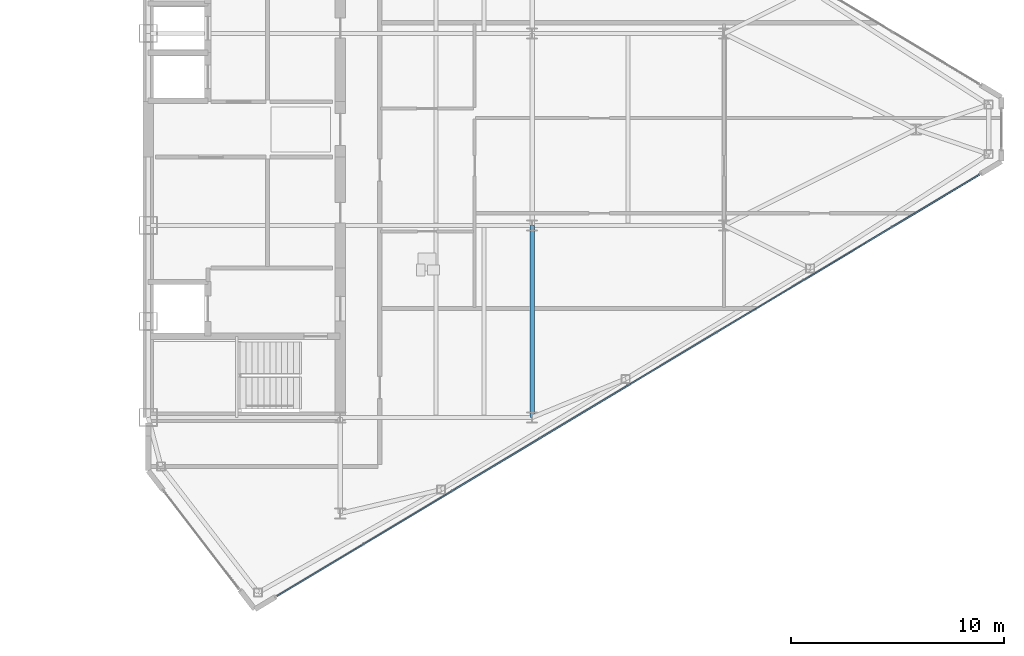
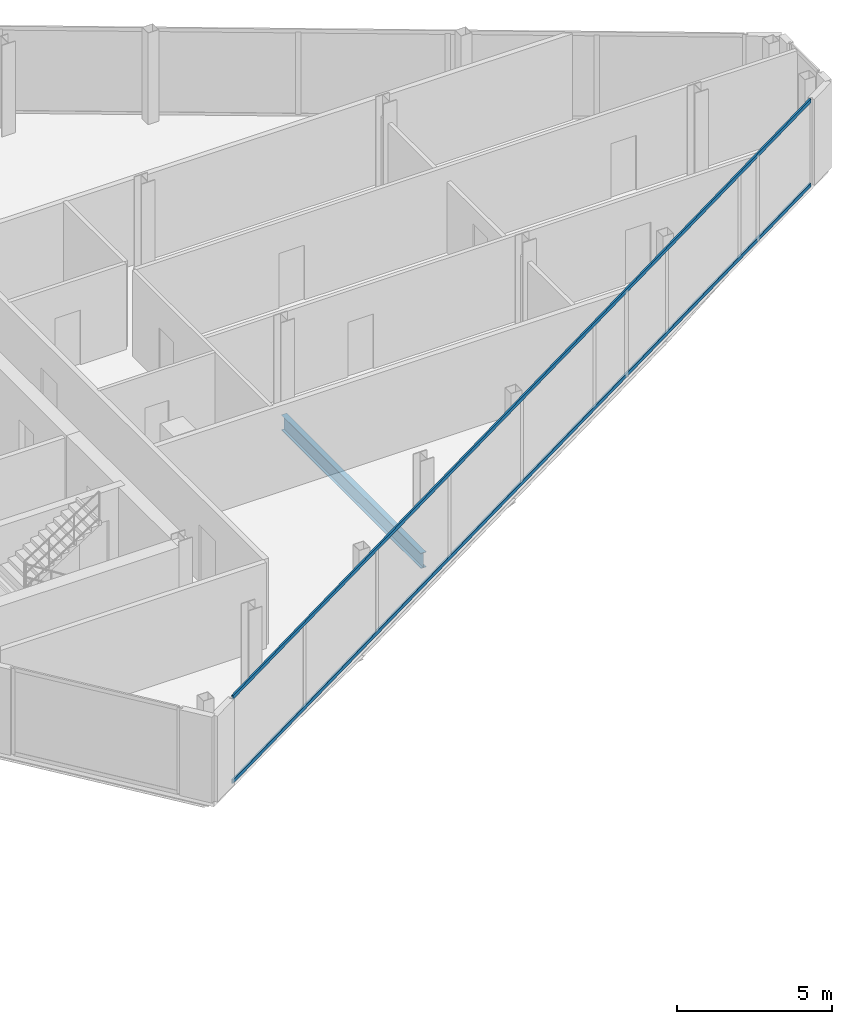
# One storey, part 12 of 25: 2 members, 1 beam, 1 element without a shape of its own.
"""IFC4 building model written with IfcOpenShell, lengths in metres."""

from ifc_helpers import new_model, si_unit, direction, frame, origin, origin_2d, place, context, subcontext, project, spatial, rectangle, i_section, extrude, source, transform, mapped, material, layer, layer_set, material_profile, profile_set, type_object, type_shapes, element, aggregate, save


model = new_model("IFC4")

# Units and contexts
model_context = context("Model", 3, precision=1e-05, world=origin(), true_north=direction((0.0, 1.0)))
body_context = subcontext(model_context, "Body", "Model", "MODEL_VIEW")
ifc_project = project(units=[si_unit("LENGTHUNIT", "METRE"), si_unit("AREAUNIT", "SQUARE_METRE"), si_unit("VOLUMEUNIT", "CUBIC_METRE"), si_unit("PLANEANGLEUNIT", "RADIAN"), si_unit("MASSUNIT", "GRAM", prefix="KILO")], contexts=[model_context])

# Site, building, storey
site_placement = place(None, origin())
site = spatial("IfcSite", under=ifc_project, at=site_placement, CompositionType="ELEMENT")
building_placement = place(site_placement, origin())
building = spatial("IfcBuilding", under=site, at=building_placement, Name="Seokmaru Belvedere", CompositionType="ELEMENT")
storey_placement = place(building_placement, frame((0.0, 0.0, 213.89990234375)))
storey = spatial("IfcBuildingStorey", under=building, at=storey_placement, Name="L57", CompositionType="ELEMENT", Elevation=213.89990234375)

# Beam
ifc_material_1 = material(Name="Steel SM355 (355 MPa)", Category="steel")
ifc_material_profile_1 = material_profile(ifc_material_1, i_section(OverallWidth=0.199951171875, OverallDepth=0.60009765625, WebThickness=0.010986328125, FlangeThickness=0.01708984375, at=origin_2d()), Name="H-600x200x11x17")
ifc_profile_set_1 = profile_set([ifc_material_profile_1], Name="Steel SM355 (355 MPa)")
beam_type = type_object("IfcBeamType", Name="Primary Floor Girder H-600", PredefinedType="BEAM", material=ifc_profile_set_1)
shared_shape_1 = source(origin(), body_context, "Body", "SweptSolid", [
    extrude(i_section(OverallWidth=0.199951171875, OverallDepth=0.60009765625, WebThickness=0.010986328125, FlangeThickness=0.01708984375, at=origin_2d()), origin(), (0.0, 0.0, 1.0), 9.0),
])
type_shapes(beam_type, [shared_shape_1])
beam_placement = place(storey_placement, frame((45.5, -13.5, -0.52001953125), z_axis=(0.0, 1.0, 0.0), x_axis=(-1.0, 0.0, 0.0)))
element("IfcBeam", 1, at=beam_placement, inside=storey, type_object=beam_type, Name="L57 E Interior Grid Girder 1", PredefinedType="BEAM", context=body_context, shape_type="MappedRepresentation", body=[
    mapped(shared_shape_1, transform((0.0, 0.0, 0.0), scale=1.0)),
])

# Curtain wall, members
ifc_material_2 = material(Name="Bronze Triple Insulating Glass", Category="glass")
ifc_layer = layer(ifc_material_2, 0.179931640625)
ifc_layer_set = layer_set([ifc_layer], Name="Bronze Triple Insulating Glass")
curtain_wall_type = type_object("IfcCurtainWallType", Name="High-Rise Wind-Corner Curtain Wall System CW-5", PredefinedType="NOTDEFINED", material=ifc_layer_set)
curtain_wall_placement = place(storey_placement, origin())
curtain_wall = element("IfcCurtainWall", 2, at=curtain_wall_placement, inside=storey, type_object=curtain_wall_type, Name="L57 Curtain Wall EF1", PredefinedType="NOTDEFINED")
ifc_material_3 = material(Name="Anodised Bronze Aluminium", Category="aluminium")
ifc_material_profile_2 = material_profile(ifc_material_3, rectangle(XDim=0.06494140625, YDim=0.14990234375, at=origin_2d()), Name="CW-T-65x150")
ifc_profile_set_2 = profile_set([ifc_material_profile_2], Name="Anodised Bronze Aluminium")
member_type = type_object("IfcMemberType", Name="Bronze Unitised Transom 65x150", PredefinedType="USERDEFINED", material=ifc_profile_set_2)
shared_shape_2 = source(origin(), body_context, "Body", "SweptSolid", [
    extrude(rectangle(XDim=0.06494140625, YDim=0.14990234375, at=origin_2d()), origin(), (0.0, 0.0, 1.0), 38.386962890625),
])
type_shapes(member_type, [shared_shape_2])
member_1_placement = place(storey_placement, frame((33.541748046875, -21.875, 0.03271484375), z_axis=(0.85749180336, 0.514497626011, 0.0), x_axis=(-0.514497626011, 0.85749180336, 0.0)))
member_1 = element("IfcMember", 3, at=member_1_placement, type_object=member_type, Name="CW:L57:EF1 Continuous Transom 1", ObjectType="TRANSOM", PredefinedType="USERDEFINED", context=body_context, shape_type="MappedRepresentation", body=[
    mapped(shared_shape_2, transform((0.0, 0.0, 0.0), scale=1.0)),
])
member_2_placement = place(storey_placement, frame((33.541748046875, -21.875, 3.34765625), z_axis=(0.85749180336, 0.514497626011, 0.0), x_axis=(-0.514497626011, 0.85749180336, 0.0)))
member_2 = element("IfcMember", 4, at=member_2_placement, type_object=member_type, Name="CW:L57:EF1 Continuous Transom 2", ObjectType="TRANSOM", PredefinedType="USERDEFINED", context=body_context, shape_type="MappedRepresentation", body=[
    mapped(shared_shape_2, transform((0.0, 0.0, 0.0), scale=1.0)),
])
aggregate(curtain_wall, [member_1, member_2])

save(model, "model.ifc")
